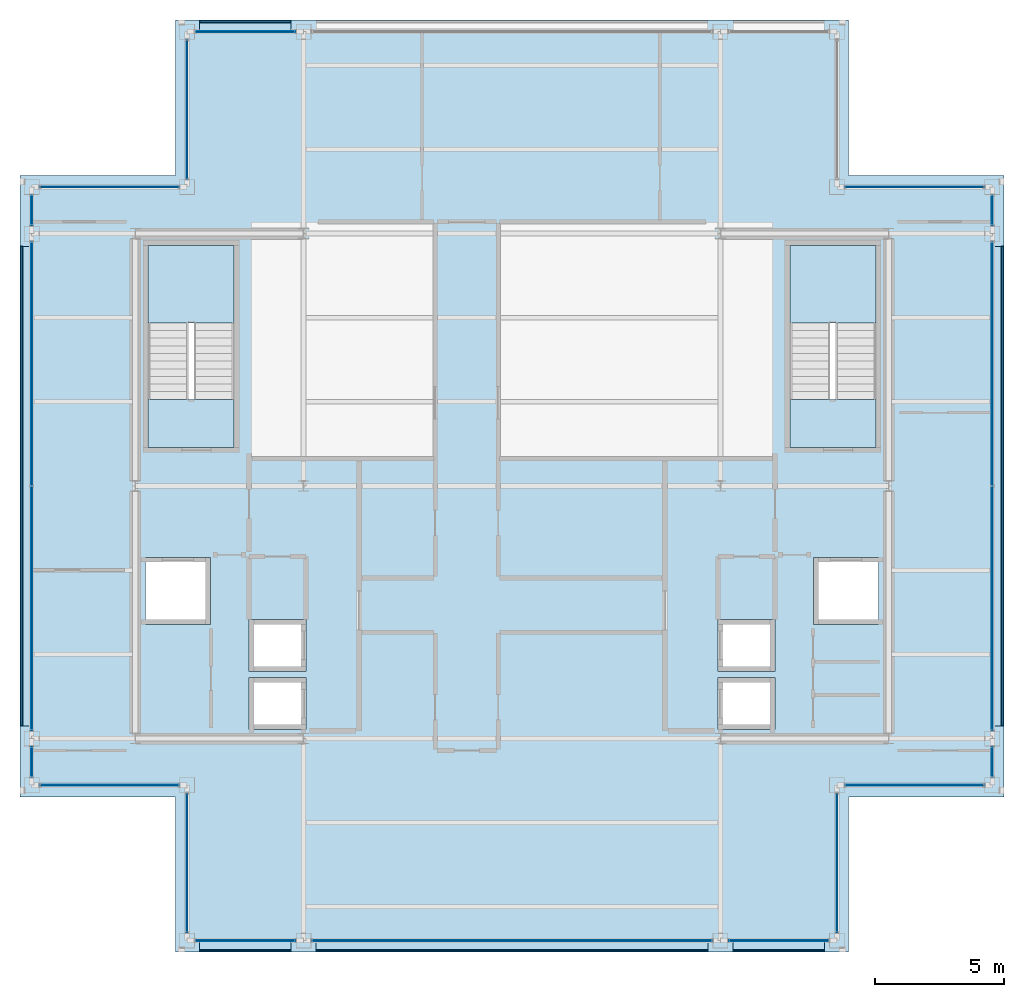
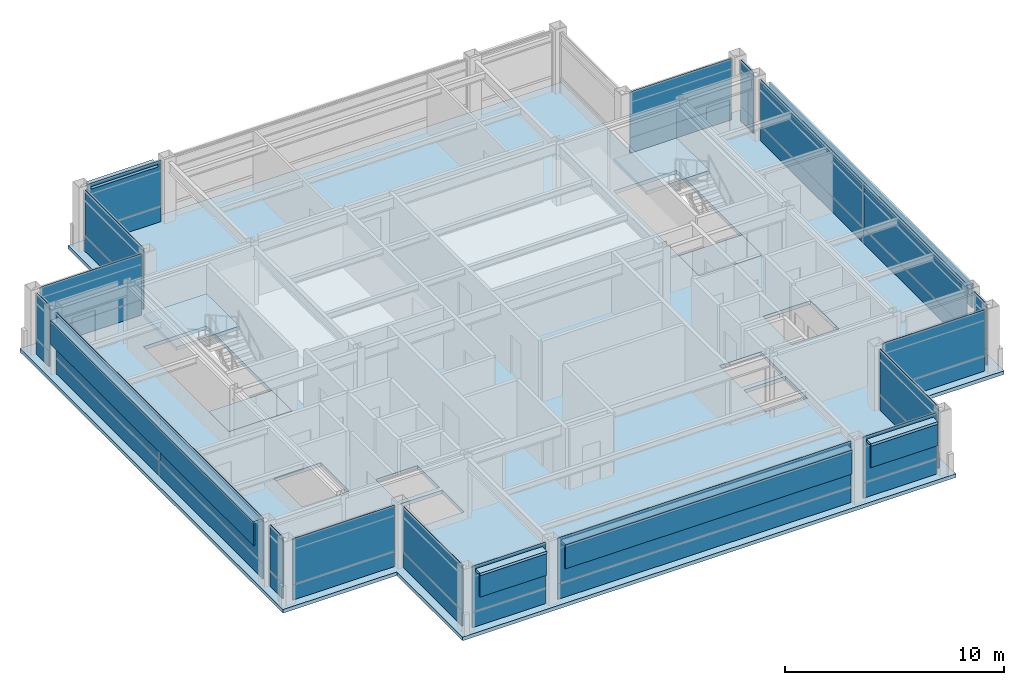
# One storey, part 17 of 22: 50 plates, 5 slabs, 19 elements without a shape of their own.
"""IFC4 building model written with IfcOpenShell, lengths in metres."""

from ifc_helpers import new_model, si_unit, direction, frame, origin, origin_2d, place, context, subcontext, project, spatial, polyline, rectangle, outline, extrude, material, layer, layer_set, type_object, element, aggregate, save


model = new_model("IFC4")

# Units and contexts
model_context = context("Model", 3, precision=1e-05, world=origin(), true_north=direction((0.0, 1.0)))
body_context = subcontext(model_context, "Body", "Model", "MODEL_VIEW")
ifc_project = project(units=[si_unit("LENGTHUNIT", "METRE"), si_unit("AREAUNIT", "SQUARE_METRE"), si_unit("VOLUMEUNIT", "CUBIC_METRE"), si_unit("PLANEANGLEUNIT", "RADIAN"), si_unit("MASSUNIT", "GRAM", prefix="KILO")], contexts=[model_context])

# Site, building, storey
site_placement = place(None, origin())
site = spatial("IfcSite", under=ifc_project, at=site_placement, CompositionType="ELEMENT")
building_placement = place(site_placement, origin())
building = spatial("IfcBuilding", under=site, at=building_placement, Name="Brelmoor Portico Tower", CompositionType="ELEMENT")
storey_placement = place(building_placement, frame((0.0, 0.0, 280.800048828125)))
storey = spatial("IfcBuildingStorey", under=building, at=storey_placement, Name="L74", CompositionType="ELEMENT", Elevation=280.800048828125)

# Curtain wall, plate
ifc_material_1 = material(Name="Anodised Aluminium Alloy 6063-T6", Category="aluminium")
ifc_layer_1 = layer(ifc_material_1, 0.179931640625)
ifc_layer_set_1 = layer_set([ifc_layer_1], Name="Anodised Aluminium Alloy 6063-T6")
curtain_wall_type_1 = type_object("IfcCurtainWallType", Name="CW-TOWER-Z4", PredefinedType="NOTDEFINED", material=ifc_layer_set_1)
curtain_wall_1_placement = place(storey_placement, origin())
curtain_wall_1 = element("IfcCurtainWall", 1, at=curtain_wall_1_placement, inside=storey, type_object=curtain_wall_type_1, Name="L74 Curtain Wall CW-L74-01-1", PredefinedType="NOTDEFINED")
ifc_material_2 = material(Name="Double-Silver Low-E Insulated Glazing", Category="glass")
ifc_layer_2 = layer(ifc_material_2, 0.035888671875)
ifc_layer_set_2 = layer_set([ifc_layer_2], Name="Double-Silver Low-E Insulated Glazing")
plate_type_1 = type_object("IfcPlateType", Name="PT-CW-GLASS", PredefinedType="CURTAIN_PANEL", material=ifc_layer_set_2)
plate_1_placement = place(storey_placement, frame((-10.300048828125, -17.550048828125, 0.85009765625), z_axis=(0.0, 0.0, 1.0), x_axis=(1.0, 0.0, 0.0)))
plate_1 = element("IfcPlate", 2, at=plate_1_placement, type_object=plate_type_1, Name="CW-L74-01-1 Vision Glass Panel 00", PredefinedType="CURTAIN_PANEL", context=body_context, shape_type="SweptSolid", body=[
    extrude(rectangle(XDim=3.85009765625, YDim=0.035888671875, at=origin_2d()), origin(), (0.0, 0.0, 1.0), 2.550048828125),
])

curtain_wall_2_placement = place(storey_placement, origin())
curtain_wall_2 = element("IfcCurtainWall", 3, at=curtain_wall_2_placement, inside=storey, type_object=curtain_wall_type_1, Name="L74 Curtain Wall CW-L74-01-2", PredefinedType="NOTDEFINED")
plate_2_placement = place(storey_placement, frame((0.0, -17.550048828125, 0.85009765625), z_axis=(0.0, 0.0, 1.0), x_axis=(1.0, 0.0, 0.0)))
plate_2 = element("IfcPlate", 4, at=plate_2_placement, type_object=plate_type_1, Name="CW-L74-01-2 Vision Glass Panel 00", PredefinedType="CURTAIN_PANEL", context=body_context, shape_type="SweptSolid", body=[
    extrude(rectangle(XDim=15.449951171875, YDim=0.035888671875, at=origin_2d()), origin(), (0.0, 0.0, 1.0), 2.550048828125),
])

curtain_wall_3_placement = place(storey_placement, origin())
curtain_wall_3 = element("IfcCurtainWall", 5, at=curtain_wall_3_placement, inside=storey, type_object=curtain_wall_type_1, Name="L74 Curtain Wall CW-L74-01-3", PredefinedType="NOTDEFINED")
plate_3_placement = place(storey_placement, frame((10.300048828125, -17.550048828125, 0.85009765625), z_axis=(0.0, 0.0, 1.0), x_axis=(1.0, 0.0, 0.0)))
plate_3 = element("IfcPlate", 6, at=plate_3_placement, type_object=plate_type_1, Name="CW-L74-01-3 Vision Glass Panel 00", PredefinedType="CURTAIN_PANEL", context=body_context, shape_type="SweptSolid", body=[
    extrude(rectangle(XDim=3.85009765625, YDim=0.035888671875, at=origin_2d()), origin(), (0.0, 0.0, 1.0), 2.550048828125),
])

curtain_wall_4_placement = place(storey_placement, origin())
curtain_wall_4 = element("IfcCurtainWall", 7, at=curtain_wall_4_placement, inside=storey, type_object=curtain_wall_type_1, Name="L74 Curtain Wall CW-L74-02-1", PredefinedType="NOTDEFINED")
plate_4_placement = place(storey_placement, frame((-10.300048828125, 17.550048828125, 0.85009765625), z_axis=(0.0, 0.0, 1.0), x_axis=(1.0, 0.0, 0.0)))
plate_4 = element("IfcPlate", 8, at=plate_4_placement, type_object=plate_type_1, Name="CW-L74-02-1 Vision Glass Panel 00", PredefinedType="CURTAIN_PANEL", context=body_context, shape_type="SweptSolid", body=[
    extrude(rectangle(XDim=3.85009765625, YDim=0.035888671875, at=origin_2d()), origin(), (0.0, 0.0, 1.0), 2.550048828125),
])

curtain_wall_5_placement = place(storey_placement, origin())
curtain_wall_5 = element("IfcCurtainWall", 9, at=curtain_wall_5_placement, inside=storey, type_object=curtain_wall_type_1, Name="L74 Curtain Wall CW-L74-03-1", PredefinedType="NOTDEFINED")
plate_5_placement = place(storey_placement, frame((-18.550048828125, -10.64990234375, 0.85009765625), z_axis=(0.0, 0.0, 1.0), x_axis=(0.0, 1.0, 0.0)))
plate_5 = element("IfcPlate", 10, at=plate_5_placement, type_object=plate_type_1, Name="CW-L74-03-1 Vision Glass Panel 00", PredefinedType="CURTAIN_PANEL", context=body_context, shape_type="SweptSolid", body=[
    extrude(rectangle(XDim=1.14990234375, YDim=0.035888671875, at=origin_2d()), origin(), (0.0, 0.0, 1.0), 2.550048828125),
])

# Curtain wall, plates
curtain_wall_6_placement = place(storey_placement, origin())
curtain_wall_6 = element("IfcCurtainWall", 11, at=curtain_wall_6_placement, inside=storey, type_object=curtain_wall_type_1, Name="L74 Curtain Wall CW-L74-03-2", PredefinedType="NOTDEFINED")
plate_6_placement = place(storey_placement, frame((-18.550048828125, -4.719970703125, 0.85009765625), z_axis=(0.0, 0.0, 1.0), x_axis=(0.0, 1.0, 0.0)))
plate_6 = element("IfcPlate", 12, at=plate_6_placement, type_object=plate_type_1, Name="CW-L74-03-2 Vision Glass Panel 00", PredefinedType="CURTAIN_PANEL", context=body_context, shape_type="SweptSolid", body=[
    extrude(rectangle(XDim=9.409912109375, YDim=0.035888671875, at=origin_2d()), origin(), (0.0, 0.0, 1.0), 2.550048828125),
])
plate_7_placement = place(storey_placement, frame((-18.550048828125, 4.719970703125, 0.85009765625), z_axis=(0.0, 0.0, 1.0), x_axis=(0.0, 1.0, 0.0)))
plate_7 = element("IfcPlate", 13, at=plate_7_placement, type_object=plate_type_1, Name="CW-L74-03-2 Vision Glass Panel 01", PredefinedType="CURTAIN_PANEL", context=body_context, shape_type="SweptSolid", body=[
    extrude(rectangle(XDim=9.409912109375, YDim=0.035888671875, at=origin_2d()), origin(), (0.0, 0.0, 1.0), 2.550048828125),
])

# Curtain wall, plate
curtain_wall_7_placement = place(storey_placement, origin())
curtain_wall_7 = element("IfcCurtainWall", 14, at=curtain_wall_7_placement, inside=storey, type_object=curtain_wall_type_1, Name="L74 Curtain Wall CW-L74-03-3", PredefinedType="NOTDEFINED")
plate_8_placement = place(storey_placement, frame((-18.550048828125, 10.64990234375, 0.85009765625), z_axis=(0.0, 0.0, 1.0), x_axis=(0.0, 1.0, 0.0)))
plate_8 = element("IfcPlate", 15, at=plate_8_placement, type_object=plate_type_1, Name="CW-L74-03-3 Vision Glass Panel 00", PredefinedType="CURTAIN_PANEL", context=body_context, shape_type="SweptSolid", body=[
    extrude(rectangle(XDim=1.14990234375, YDim=0.035888671875, at=origin_2d()), origin(), (0.0, 0.0, 1.0), 2.550048828125),
])

curtain_wall_8_placement = place(storey_placement, origin())
curtain_wall_8 = element("IfcCurtainWall", 16, at=curtain_wall_8_placement, inside=storey, type_object=curtain_wall_type_1, Name="L74 Curtain Wall CW-L74-04-1", PredefinedType="NOTDEFINED")
plate_9_placement = place(storey_placement, frame((18.550048828125, -10.64990234375, 0.85009765625), z_axis=(0.0, 0.0, 1.0), x_axis=(0.0, 1.0, 0.0)))
plate_9 = element("IfcPlate", 17, at=plate_9_placement, type_object=plate_type_1, Name="CW-L74-04-1 Vision Glass Panel 00", PredefinedType="CURTAIN_PANEL", context=body_context, shape_type="SweptSolid", body=[
    extrude(rectangle(XDim=1.14990234375, YDim=0.035888671875, at=origin_2d()), origin(), (0.0, 0.0, 1.0), 2.550048828125),
])

# Curtain wall, plates
curtain_wall_9_placement = place(storey_placement, origin())
curtain_wall_9 = element("IfcCurtainWall", 18, at=curtain_wall_9_placement, inside=storey, type_object=curtain_wall_type_1, Name="L74 Curtain Wall CW-L74-04-2", PredefinedType="NOTDEFINED")
plate_10_placement = place(storey_placement, frame((18.550048828125, -4.719970703125, 0.85009765625), z_axis=(0.0, 0.0, 1.0), x_axis=(0.0, 1.0, 0.0)))
plate_10 = element("IfcPlate", 19, at=plate_10_placement, type_object=plate_type_1, Name="CW-L74-04-2 Vision Glass Panel 00", PredefinedType="CURTAIN_PANEL", context=body_context, shape_type="SweptSolid", body=[
    extrude(rectangle(XDim=9.409912109375, YDim=0.035888671875, at=origin_2d()), origin(), (0.0, 0.0, 1.0), 2.550048828125),
])
plate_11_placement = place(storey_placement, frame((18.550048828125, 4.719970703125, 0.85009765625), z_axis=(0.0, 0.0, 1.0), x_axis=(0.0, 1.0, 0.0)))
plate_11 = element("IfcPlate", 20, at=plate_11_placement, type_object=plate_type_1, Name="CW-L74-04-2 Vision Glass Panel 01", PredefinedType="CURTAIN_PANEL", context=body_context, shape_type="SweptSolid", body=[
    extrude(rectangle(XDim=9.409912109375, YDim=0.035888671875, at=origin_2d()), origin(), (0.0, 0.0, 1.0), 2.550048828125),
])

# Curtain wall, plate
curtain_wall_10_placement = place(storey_placement, origin())
curtain_wall_10 = element("IfcCurtainWall", 21, at=curtain_wall_10_placement, inside=storey, type_object=curtain_wall_type_1, Name="L74 Curtain Wall CW-L74-04-3", PredefinedType="NOTDEFINED")
plate_12_placement = place(storey_placement, frame((18.550048828125, 10.64990234375, 0.85009765625), z_axis=(0.0, 0.0, 1.0), x_axis=(0.0, 1.0, 0.0)))
plate_12 = element("IfcPlate", 22, at=plate_12_placement, type_object=plate_type_1, Name="CW-L74-04-3 Vision Glass Panel 00", PredefinedType="CURTAIN_PANEL", context=body_context, shape_type="SweptSolid", body=[
    extrude(rectangle(XDim=1.14990234375, YDim=0.035888671875, at=origin_2d()), origin(), (0.0, 0.0, 1.0), 2.550048828125),
])

ifc_layer_3 = layer(ifc_material_1, 0.179931640625)
ifc_layer_set_3 = layer_set([ifc_layer_3], Name="Anodised Aluminium Alloy 6063-T6")
curtain_wall_type_2 = type_object("IfcCurtainWallType", Name="CW-NOTCH-CHAMFER", PredefinedType="NOTDEFINED", material=ifc_layer_set_3)
curtain_wall_11_placement = place(storey_placement, origin())
curtain_wall_11 = element("IfcCurtainWall", 23, at=curtain_wall_11_placement, inside=storey, type_object=curtain_wall_type_2, Name="L74 Curtain Wall CWN-L74-SWH", PredefinedType="NOTDEFINED")
plate_13_placement = place(storey_placement, frame((-15.550048828125, -11.550048828125, 0.85009765625), z_axis=(0.0, 0.0, 1.0), x_axis=(1.0, 0.0, 0.0)))
plate_13 = element("IfcPlate", 24, at=plate_13_placement, type_object=plate_type_1, Name="CWN-L74-SWH Vision Glass Panel 00", PredefinedType="CURTAIN_PANEL", context=body_context, shape_type="SweptSolid", body=[
    extrude(rectangle(XDim=5.35009765625, YDim=0.035888671875, at=origin_2d()), origin(), (0.0, 0.0, 1.0), 2.550048828125),
])

curtain_wall_12_placement = place(storey_placement, origin())
curtain_wall_12 = element("IfcCurtainWall", 25, at=curtain_wall_12_placement, inside=storey, type_object=curtain_wall_type_2, Name="L74 Curtain Wall CWN-L74-SWV", PredefinedType="NOTDEFINED")
plate_14_placement = place(storey_placement, frame((-12.550048828125, -14.550048828125, 0.85009765625), z_axis=(0.0, 0.0, 1.0), x_axis=(0.0, 1.0, 0.0)))
plate_14 = element("IfcPlate", 26, at=plate_14_placement, type_object=plate_type_1, Name="CWN-L74-SWV Vision Glass Panel 00", PredefinedType="CURTAIN_PANEL", context=body_context, shape_type="SweptSolid", body=[
    extrude(rectangle(XDim=5.35009765625, YDim=0.035888671875, at=origin_2d()), origin(), (0.0, 0.0, 1.0), 2.550048828125),
])

curtain_wall_13_placement = place(storey_placement, origin())
curtain_wall_13 = element("IfcCurtainWall", 27, at=curtain_wall_13_placement, inside=storey, type_object=curtain_wall_type_2, Name="L74 Curtain Wall CWN-L74-SEH", PredefinedType="NOTDEFINED")
plate_15_placement = place(storey_placement, frame((15.550048828125, -11.550048828125, 0.85009765625), z_axis=(0.0, 0.0, 1.0), x_axis=(1.0, 0.0, 0.0)))
plate_15 = element("IfcPlate", 28, at=plate_15_placement, type_object=plate_type_1, Name="CWN-L74-SEH Vision Glass Panel 00", PredefinedType="CURTAIN_PANEL", context=body_context, shape_type="SweptSolid", body=[
    extrude(rectangle(XDim=5.35009765625, YDim=0.035888671875, at=origin_2d()), origin(), (0.0, 0.0, 1.0), 2.550048828125),
])

curtain_wall_14_placement = place(storey_placement, origin())
curtain_wall_14 = element("IfcCurtainWall", 29, at=curtain_wall_14_placement, inside=storey, type_object=curtain_wall_type_2, Name="L74 Curtain Wall CWN-L74-SEV", PredefinedType="NOTDEFINED")
plate_16_placement = place(storey_placement, frame((12.550048828125, -14.550048828125, 0.85009765625), z_axis=(0.0, 0.0, 1.0), x_axis=(0.0, 1.0, 0.0)))
plate_16 = element("IfcPlate", 30, at=plate_16_placement, type_object=plate_type_1, Name="CWN-L74-SEV Vision Glass Panel 00", PredefinedType="CURTAIN_PANEL", context=body_context, shape_type="SweptSolid", body=[
    extrude(rectangle(XDim=5.35009765625, YDim=0.035888671875, at=origin_2d()), origin(), (0.0, 0.0, 1.0), 2.550048828125),
])

curtain_wall_15_placement = place(storey_placement, origin())
curtain_wall_15 = element("IfcCurtainWall", 31, at=curtain_wall_15_placement, inside=storey, type_object=curtain_wall_type_2, Name="L74 Curtain Wall CWN-L74-NWH", PredefinedType="NOTDEFINED")
plate_17_placement = place(storey_placement, frame((-15.550048828125, 11.550048828125, 0.85009765625), z_axis=(0.0, 0.0, 1.0), x_axis=(1.0, 0.0, 0.0)))
plate_17 = element("IfcPlate", 32, at=plate_17_placement, type_object=plate_type_1, Name="CWN-L74-NWH Vision Glass Panel 00", PredefinedType="CURTAIN_PANEL", context=body_context, shape_type="SweptSolid", body=[
    extrude(rectangle(XDim=5.35009765625, YDim=0.035888671875, at=origin_2d()), origin(), (0.0, 0.0, 1.0), 2.550048828125),
])

curtain_wall_16_placement = place(storey_placement, origin())
curtain_wall_16 = element("IfcCurtainWall", 33, at=curtain_wall_16_placement, inside=storey, type_object=curtain_wall_type_2, Name="L74 Curtain Wall CWN-L74-NWV", PredefinedType="NOTDEFINED")
plate_18_placement = place(storey_placement, frame((-12.550048828125, 14.550048828125, 0.85009765625), z_axis=(0.0, 0.0, 1.0), x_axis=(0.0, 1.0, 0.0)))
plate_18 = element("IfcPlate", 34, at=plate_18_placement, type_object=plate_type_1, Name="CWN-L74-NWV Vision Glass Panel 00", PredefinedType="CURTAIN_PANEL", context=body_context, shape_type="SweptSolid", body=[
    extrude(rectangle(XDim=5.35009765625, YDim=0.035888671875, at=origin_2d()), origin(), (0.0, 0.0, 1.0), 2.550048828125),
])

curtain_wall_17_placement = place(storey_placement, origin())
curtain_wall_17 = element("IfcCurtainWall", 35, at=curtain_wall_17_placement, inside=storey, type_object=curtain_wall_type_2, Name="L74 Curtain Wall CWN-L74-NEH", PredefinedType="NOTDEFINED")
plate_19_placement = place(storey_placement, frame((15.550048828125, 11.550048828125, 0.85009765625), z_axis=(0.0, 0.0, 1.0), x_axis=(1.0, 0.0, 0.0)))
plate_19 = element("IfcPlate", 36, at=plate_19_placement, type_object=plate_type_1, Name="CWN-L74-NEH Vision Glass Panel 00", PredefinedType="CURTAIN_PANEL", context=body_context, shape_type="SweptSolid", body=[
    extrude(rectangle(XDim=5.35009765625, YDim=0.035888671875, at=origin_2d()), origin(), (0.0, 0.0, 1.0), 2.550048828125),
])

# Plate
ifc_material_3 = material(Name="Pale Champagne Anodised Aluminium Panel", Category="aluminium")
ifc_layer_4 = layer(ifc_material_3, 0.050048828125)
ifc_layer_set_4 = layer_set([ifc_layer_4], Name="Pale Champagne Anodised Aluminium Panel")
plate_type_2 = type_object("IfcPlateType", Name="PT-CW-SPANDREL", PredefinedType="SHEET", material=ifc_layer_set_4)
plate_20_placement = place(storey_placement, frame((-10.300048828125, -17.550048828125, 0.0), z_axis=(0.0, 0.0, 1.0), x_axis=(1.0, 0.0, 0.0)))
plate_20 = element("IfcPlate", 37, at=plate_20_placement, type_object=plate_type_2, Name="CW-L74-01-1 Spandrel Panel 00", PredefinedType="SHEET", context=body_context, shape_type="SweptSolid", body=[
    extrude(rectangle(XDim=3.85009765625, YDim=0.050048828125, at=origin_2d()), origin(), (0.0, 0.0, 1.0), 0.85009765625),
])

aggregate(curtain_wall_1, [plate_20, plate_1])

plate_21_placement = place(storey_placement, frame((0.0, -17.550048828125, 0.0), z_axis=(0.0, 0.0, 1.0), x_axis=(1.0, 0.0, 0.0)))
plate_21 = element("IfcPlate", 38, at=plate_21_placement, type_object=plate_type_2, Name="CW-L74-01-2 Spandrel Panel 00", PredefinedType="SHEET", context=body_context, shape_type="SweptSolid", body=[
    extrude(rectangle(XDim=15.449951171875, YDim=0.050048828125, at=origin_2d()), origin(), (0.0, 0.0, 1.0), 0.85009765625),
])

aggregate(curtain_wall_2, [plate_21, plate_2])

plate_22_placement = place(storey_placement, frame((10.300048828125, -17.550048828125, 0.0), z_axis=(0.0, 0.0, 1.0), x_axis=(1.0, 0.0, 0.0)))
plate_22 = element("IfcPlate", 39, at=plate_22_placement, type_object=plate_type_2, Name="CW-L74-01-3 Spandrel Panel 00", PredefinedType="SHEET", context=body_context, shape_type="SweptSolid", body=[
    extrude(rectangle(XDim=3.85009765625, YDim=0.050048828125, at=origin_2d()), origin(), (0.0, 0.0, 1.0), 0.85009765625),
])

aggregate(curtain_wall_3, [plate_22, plate_3])

plate_23_placement = place(storey_placement, frame((-10.300048828125, 17.550048828125, 0.0), z_axis=(0.0, 0.0, 1.0), x_axis=(1.0, 0.0, 0.0)))
plate_23 = element("IfcPlate", 40, at=plate_23_placement, type_object=plate_type_2, Name="CW-L74-02-1 Spandrel Panel 00", PredefinedType="SHEET", context=body_context, shape_type="SweptSolid", body=[
    extrude(rectangle(XDim=3.85009765625, YDim=0.050048828125, at=origin_2d()), origin(), (0.0, 0.0, 1.0), 0.85009765625),
])

aggregate(curtain_wall_4, [plate_23, plate_4])

plate_24_placement = place(storey_placement, frame((-18.550048828125, -10.64990234375, 0.0), z_axis=(0.0, 0.0, 1.0), x_axis=(0.0, 1.0, 0.0)))
plate_24 = element("IfcPlate", 41, at=plate_24_placement, type_object=plate_type_2, Name="CW-L74-03-1 Spandrel Panel 00", PredefinedType="SHEET", context=body_context, shape_type="SweptSolid", body=[
    extrude(rectangle(XDim=1.14990234375, YDim=0.050048828125, at=origin_2d()), origin(), (0.0, 0.0, 1.0), 0.85009765625),
])

aggregate(curtain_wall_5, [plate_24, plate_5])

plate_25_placement = place(storey_placement, frame((-18.550048828125, -4.719970703125, 0.0), z_axis=(0.0, 0.0, 1.0), x_axis=(0.0, 1.0, 0.0)))
plate_25 = element("IfcPlate", 42, at=plate_25_placement, type_object=plate_type_2, Name="CW-L74-03-2 Spandrel Panel 00", PredefinedType="SHEET", context=body_context, shape_type="SweptSolid", body=[
    extrude(rectangle(XDim=9.409912109375, YDim=0.050048828125, at=origin_2d()), origin(), (0.0, 0.0, 1.0), 0.85009765625),
])

plate_26_placement = place(storey_placement, frame((-18.550048828125, 4.719970703125, 0.0), z_axis=(0.0, 0.0, 1.0), x_axis=(0.0, 1.0, 0.0)))
plate_26 = element("IfcPlate", 43, at=plate_26_placement, type_object=plate_type_2, Name="CW-L74-03-2 Spandrel Panel 01", PredefinedType="SHEET", context=body_context, shape_type="SweptSolid", body=[
    extrude(rectangle(XDim=9.409912109375, YDim=0.050048828125, at=origin_2d()), origin(), (0.0, 0.0, 1.0), 0.85009765625),
])

aggregate(curtain_wall_6, [plate_25, plate_6, plate_26, plate_7])

plate_27_placement = place(storey_placement, frame((-18.550048828125, 10.64990234375, 0.0), z_axis=(0.0, 0.0, 1.0), x_axis=(0.0, 1.0, 0.0)))
plate_27 = element("IfcPlate", 44, at=plate_27_placement, type_object=plate_type_2, Name="CW-L74-03-3 Spandrel Panel 00", PredefinedType="SHEET", context=body_context, shape_type="SweptSolid", body=[
    extrude(rectangle(XDim=1.14990234375, YDim=0.050048828125, at=origin_2d()), origin(), (0.0, 0.0, 1.0), 0.85009765625),
])

aggregate(curtain_wall_7, [plate_27, plate_8])

plate_28_placement = place(storey_placement, frame((18.550048828125, -10.64990234375, 0.0), z_axis=(0.0, 0.0, 1.0), x_axis=(0.0, 1.0, 0.0)))
plate_28 = element("IfcPlate", 45, at=plate_28_placement, type_object=plate_type_2, Name="CW-L74-04-1 Spandrel Panel 00", PredefinedType="SHEET", context=body_context, shape_type="SweptSolid", body=[
    extrude(rectangle(XDim=1.14990234375, YDim=0.050048828125, at=origin_2d()), origin(), (0.0, 0.0, 1.0), 0.85009765625),
])

aggregate(curtain_wall_8, [plate_28, plate_9])

plate_29_placement = place(storey_placement, frame((18.550048828125, -4.719970703125, 0.0), z_axis=(0.0, 0.0, 1.0), x_axis=(0.0, 1.0, 0.0)))
plate_29 = element("IfcPlate", 46, at=plate_29_placement, type_object=plate_type_2, Name="CW-L74-04-2 Spandrel Panel 00", PredefinedType="SHEET", context=body_context, shape_type="SweptSolid", body=[
    extrude(rectangle(XDim=9.409912109375, YDim=0.050048828125, at=origin_2d()), origin(), (0.0, 0.0, 1.0), 0.85009765625),
])

plate_30_placement = place(storey_placement, frame((18.550048828125, 4.719970703125, 0.0), z_axis=(0.0, 0.0, 1.0), x_axis=(0.0, 1.0, 0.0)))
plate_30 = element("IfcPlate", 47, at=plate_30_placement, type_object=plate_type_2, Name="CW-L74-04-2 Spandrel Panel 01", PredefinedType="SHEET", context=body_context, shape_type="SweptSolid", body=[
    extrude(rectangle(XDim=9.409912109375, YDim=0.050048828125, at=origin_2d()), origin(), (0.0, 0.0, 1.0), 0.85009765625),
])

aggregate(curtain_wall_9, [plate_29, plate_10, plate_30, plate_11])

plate_31_placement = place(storey_placement, frame((18.550048828125, 10.64990234375, 0.0), z_axis=(0.0, 0.0, 1.0), x_axis=(0.0, 1.0, 0.0)))
plate_31 = element("IfcPlate", 48, at=plate_31_placement, type_object=plate_type_2, Name="CW-L74-04-3 Spandrel Panel 00", PredefinedType="SHEET", context=body_context, shape_type="SweptSolid", body=[
    extrude(rectangle(XDim=1.14990234375, YDim=0.050048828125, at=origin_2d()), origin(), (0.0, 0.0, 1.0), 0.85009765625),
])

aggregate(curtain_wall_10, [plate_31, plate_12])

plate_32_placement = place(storey_placement, frame((-15.550048828125, -11.550048828125, 0.0), z_axis=(0.0, 0.0, 1.0), x_axis=(1.0, 0.0, 0.0)))
plate_32 = element("IfcPlate", 49, at=plate_32_placement, type_object=plate_type_2, Name="CWN-L74-SWH Spandrel Panel 00", PredefinedType="SHEET", context=body_context, shape_type="SweptSolid", body=[
    extrude(rectangle(XDim=5.35009765625, YDim=0.050048828125, at=origin_2d()), origin(), (0.0, 0.0, 1.0), 0.85009765625),
])

aggregate(curtain_wall_11, [plate_32, plate_13])

plate_33_placement = place(storey_placement, frame((-12.550048828125, -14.550048828125, 0.0), z_axis=(0.0, 0.0, 1.0), x_axis=(0.0, 1.0, 0.0)))
plate_33 = element("IfcPlate", 50, at=plate_33_placement, type_object=plate_type_2, Name="CWN-L74-SWV Spandrel Panel 00", PredefinedType="SHEET", context=body_context, shape_type="SweptSolid", body=[
    extrude(rectangle(XDim=5.35009765625, YDim=0.050048828125, at=origin_2d()), origin(), (0.0, 0.0, 1.0), 0.85009765625),
])

aggregate(curtain_wall_12, [plate_33, plate_14])

plate_34_placement = place(storey_placement, frame((15.550048828125, -11.550048828125, 0.0), z_axis=(0.0, 0.0, 1.0), x_axis=(1.0, 0.0, 0.0)))
plate_34 = element("IfcPlate", 51, at=plate_34_placement, type_object=plate_type_2, Name="CWN-L74-SEH Spandrel Panel 00", PredefinedType="SHEET", context=body_context, shape_type="SweptSolid", body=[
    extrude(rectangle(XDim=5.35009765625, YDim=0.050048828125, at=origin_2d()), origin(), (0.0, 0.0, 1.0), 0.85009765625),
])

aggregate(curtain_wall_13, [plate_34, plate_15])

plate_35_placement = place(storey_placement, frame((12.550048828125, -14.550048828125, 0.0), z_axis=(0.0, 0.0, 1.0), x_axis=(0.0, 1.0, 0.0)))
plate_35 = element("IfcPlate", 52, at=plate_35_placement, type_object=plate_type_2, Name="CWN-L74-SEV Spandrel Panel 00", PredefinedType="SHEET", context=body_context, shape_type="SweptSolid", body=[
    extrude(rectangle(XDim=5.35009765625, YDim=0.050048828125, at=origin_2d()), origin(), (0.0, 0.0, 1.0), 0.85009765625),
])

aggregate(curtain_wall_14, [plate_35, plate_16])

plate_36_placement = place(storey_placement, frame((-15.550048828125, 11.550048828125, 0.0), z_axis=(0.0, 0.0, 1.0), x_axis=(1.0, 0.0, 0.0)))
plate_36 = element("IfcPlate", 53, at=plate_36_placement, type_object=plate_type_2, Name="CWN-L74-NWH Spandrel Panel 00", PredefinedType="SHEET", context=body_context, shape_type="SweptSolid", body=[
    extrude(rectangle(XDim=5.35009765625, YDim=0.050048828125, at=origin_2d()), origin(), (0.0, 0.0, 1.0), 0.85009765625),
])

aggregate(curtain_wall_15, [plate_36, plate_17])

plate_37_placement = place(storey_placement, frame((-12.550048828125, 14.550048828125, 0.0), z_axis=(0.0, 0.0, 1.0), x_axis=(0.0, 1.0, 0.0)))
plate_37 = element("IfcPlate", 54, at=plate_37_placement, type_object=plate_type_2, Name="CWN-L74-NWV Spandrel Panel 00", PredefinedType="SHEET", context=body_context, shape_type="SweptSolid", body=[
    extrude(rectangle(XDim=5.35009765625, YDim=0.050048828125, at=origin_2d()), origin(), (0.0, 0.0, 1.0), 0.85009765625),
])

aggregate(curtain_wall_16, [plate_37, plate_18])

plate_38_placement = place(storey_placement, frame((15.550048828125, 11.550048828125, 0.0), z_axis=(0.0, 0.0, 1.0), x_axis=(1.0, 0.0, 0.0)))
plate_38 = element("IfcPlate", 55, at=plate_38_placement, type_object=plate_type_2, Name="CWN-L74-NEH Spandrel Panel 00", PredefinedType="SHEET", context=body_context, shape_type="SweptSolid", body=[
    extrude(rectangle(XDim=5.35009765625, YDim=0.050048828125, at=origin_2d()), origin(), (0.0, 0.0, 1.0), 0.85009765625),
])

aggregate(curtain_wall_17, [plate_38, plate_19])

# Plates
ifc_material_4 = material(Name="Powder-Coated Aluminium Shuttered Jalousie Louvre", Category="aluminium")
ifc_layer_5 = layer(ifc_material_4, 0.06005859375)
ifc_layer_set_5 = layer_set([ifc_layer_5], Name="Powder-Coated Aluminium Shuttered Jalousie Louvre")
plate_type_3 = type_object("IfcPlateType", Name="PT-JALOUSIE-SHUTTER", PredefinedType="SHEET", material=ifc_layer_set_5)
plate_39_placement = place(storey_placement, frame((-10.300048828125, -17.929931640625, 1.8740234375), z_axis=(0.0, 0.0, 1.0), x_axis=(1.0, 0.0, 0.0)))
element("IfcPlate", 56, at=plate_39_placement, inside=storey, type_object=plate_type_3, Name="CW-L74-01-1 Perforated Jalousie Solar Screen", PredefinedType="SHEET", context=body_context, shape_type="SweptSolid", body=[
    extrude(rectangle(XDim=3.52001953125, YDim=0.06494140625, at=origin_2d()), origin(), (0.0, 0.0, 1.0), 1.325927734375),
])
plate_40_placement = place(storey_placement, frame((0.0, -17.929931640625, 1.8740234375), z_axis=(0.0, 0.0, 1.0), x_axis=(1.0, 0.0, 0.0)))
element("IfcPlate", 57, at=plate_40_placement, inside=storey, type_object=plate_type_3, Name="CW-L74-01-2 Perforated Jalousie Solar Screen", PredefinedType="SHEET", context=body_context, shape_type="SweptSolid", body=[
    extrude(rectangle(XDim=15.1201171875, YDim=0.06494140625, at=origin_2d()), origin(), (0.0, 0.0, 1.0), 1.325927734375),
])
for number, where, z_axis, x_axis, name in (
    (58, (10.300048828125, -17.929931640625, 1.8740234375), (0.0, 0.0, 1.0), (1.0, 0.0, 0.0), "CW-L74-01-3 Perforated Jalousie Solar Screen"),
    (59, (-10.300048828125, 17.929931640625, 1.8740234375), (0.0, 0.0, 1.0), (1.0, 0.0, 0.0), "CW-L74-02-1 Perforated Jalousie Solar Screen"),
):
    element("IfcPlate", number, at=place(storey_placement, frame(where, z_axis=z_axis, x_axis=x_axis)), inside=storey, type_object=plate_type_3, Name=name, PredefinedType="SHEET", context=body_context, shape_type="SweptSolid", body=[
        extrude(rectangle(XDim=3.52001953125, YDim=0.06494140625, at=origin_2d()), origin(), (0.0, 0.0, 1.0), 1.325927734375),
    ])
for number, where, z_axis, x_axis, name in (
    (60, (-18.929931640625, 0.0, 1.8740234375), (0.0, 0.0, 1.0), (0.0, 1.0, 0.0), "CW-L74-03-2 Perforated Jalousie Solar Screen"),
    (61, (18.929931640625, 0.0, 1.8740234375), (0.0, 0.0, 1.0), (0.0, 1.0, 0.0), "CW-L74-04-2 Perforated Jalousie Solar Screen"),
):
    element("IfcPlate", number, at=place(storey_placement, frame(where, z_axis=z_axis, x_axis=x_axis)), inside=storey, type_object=plate_type_3, Name=name, PredefinedType="SHEET", context=body_context, shape_type="SweptSolid", body=[
        extrude(rectangle(XDim=18.52001953125, YDim=0.06494140625, at=origin_2d()), origin(), (0.0, 0.0, 1.0), 1.325927734375),
    ])
ifc_material_5 = material(Name="Pale Champagne Perforated Aluminium Solar Screen", Category="aluminium")
ifc_layer_6 = layer(ifc_material_5, 0.054931640625)
ifc_layer_set_6 = layer_set([ifc_layer_6], Name="Pale Champagne Perforated Aluminium Solar Screen")
plate_type_4 = type_object("IfcPlateType", Name="PT-SOLAR-LOUVRE", PredefinedType="SHEET", material=ifc_layer_set_6)
plate_41_placement = place(storey_placement, frame((-10.300048828125, -17.760009765625, 3.08984375), z_axis=(0.0, 0.0, 1.0), x_axis=(1.0, 0.0, 0.0)))
element("IfcPlate", 62, at=plate_41_placement, inside=storey, type_object=plate_type_4, Name="CW-L74-01-1 Caribbean Brise-Soleil Solar Screen", PredefinedType="SHEET", context=body_context, shape_type="SweptSolid", body=[
    extrude(rectangle(XDim=3.52001953125, YDim=0.4599609375, at=origin_2d()), origin(), (0.0, 0.0, 1.0), 0.139892578125),
])
plate_42_placement = place(storey_placement, frame((0.0, -17.760009765625, 3.08984375), z_axis=(0.0, 0.0, 1.0), x_axis=(1.0, 0.0, 0.0)))
element("IfcPlate", 63, at=plate_42_placement, inside=storey, type_object=plate_type_4, Name="CW-L74-01-2 Caribbean Brise-Soleil Solar Screen", PredefinedType="SHEET", context=body_context, shape_type="SweptSolid", body=[
    extrude(rectangle(XDim=15.1201171875, YDim=0.4599609375, at=origin_2d()), origin(), (0.0, 0.0, 1.0), 0.139892578125),
])
for number, where, z_axis, x_axis, name in (
    (64, (10.300048828125, -17.760009765625, 3.08984375), (0.0, 0.0, 1.0), (1.0, 0.0, 0.0), "CW-L74-01-3 Caribbean Brise-Soleil Solar Screen"),
    (65, (-10.300048828125, 17.760009765625, 3.08984375), (0.0, 0.0, 1.0), (1.0, 0.0, 0.0), "CW-L74-02-1 Caribbean Brise-Soleil Solar Screen"),
):
    element("IfcPlate", number, at=place(storey_placement, frame(where, z_axis=z_axis, x_axis=x_axis)), inside=storey, type_object=plate_type_4, Name=name, PredefinedType="SHEET", context=body_context, shape_type="SweptSolid", body=[
        extrude(rectangle(XDim=3.52001953125, YDim=0.4599609375, at=origin_2d()), origin(), (0.0, 0.0, 1.0), 0.139892578125),
    ])
for number, where, z_axis, x_axis, name in (
    (66, (-18.760009765625, 0.0, 3.08984375), (0.0, 0.0, 1.0), (0.0, 1.0, 0.0), "CW-L74-03-2 Caribbean Brise-Soleil Solar Screen"),
    (67, (18.760009765625, 0.0, 3.08984375), (0.0, 0.0, 1.0), (0.0, 1.0, 0.0), "CW-L74-04-2 Caribbean Brise-Soleil Solar Screen"),
):
    element("IfcPlate", number, at=place(storey_placement, frame(where, z_axis=z_axis, x_axis=x_axis)), inside=storey, type_object=plate_type_4, Name=name, PredefinedType="SHEET", context=body_context, shape_type="SweptSolid", body=[
        extrude(rectangle(XDim=18.52001953125, YDim=0.4599609375, at=origin_2d()), origin(), (0.0, 0.0, 1.0), 0.139892578125),
    ])

# Slab
ifc_material_6 = material(Name="Concrete C40", Category="concrete")
ifc_layer_7 = layer(ifc_material_6, 0.199951171875)
ifc_layer_set_7 = layer_set([ifc_layer_7], Name="Concrete C40")
slab_type_1 = type_object("IfcSlabType", Name="SL-FLOOR-200", PredefinedType="FLOOR", material=ifc_layer_set_7)
slab_1_placement = place(storey_placement, frame((0.0, 0.0, -0.199951171875)))
element("IfcSlab", 68, at=slab_1_placement, inside=storey, type_object=slab_type_1, Name="L74 Main Structural Floor Slab", PredefinedType="FLOOR", context=body_context, shape_type="SweptSolid", body=[
    extrude(outline(polyline([(-13.0, -18.0), (13.0, -18.0), (13.0, -12.0), (19.0, -12.0), (19.0, 12.0), (13.0, 12.0), (13.0, 18.0), (-13.0, 18.0), (-13.0, 12.0), (-19.0, 12.0), (-19.0, -12.0), (-13.0, -12.0), (-13.0, -18.0)]), holes=[polyline([(-10.72998046875, 1.5), (-10.72998046875, 9.300048828125), (-14.050048828125, 9.300048828125), (-14.050048828125, 1.5), (-10.72998046875, 1.5)]), polyline([(14.050048828125, 1.5), (14.050048828125, 9.300048828125), (10.72998046875, 9.300048828125), (10.72998046875, 1.5), (14.050048828125, 1.5)]), polyline([(-10.14990234375, -9.39990234375), (-7.949951171875, -9.39990234375), (-7.949951171875, -7.39990234375), (-10.14990234375, -7.39990234375), (-10.14990234375, -9.39990234375)]), polyline([(-10.14990234375, -7.14990234375), (-7.949951171875, -7.14990234375), (-7.949951171875, -5.14990234375), (-10.14990234375, -5.14990234375), (-10.14990234375, -7.14990234375)]), polyline([(7.949951171875, -9.39990234375), (10.14990234375, -9.39990234375), (10.14990234375, -7.39990234375), (7.949951171875, -7.39990234375), (7.949951171875, -9.39990234375)]), polyline([(7.949951171875, -7.14990234375), (10.14990234375, -7.14990234375), (10.14990234375, -5.14990234375), (7.949951171875, -5.14990234375), (7.949951171875, -7.14990234375)]), polyline([(-14.14990234375, -5.35009765625), (-11.64990234375, -5.35009765625), (-11.64990234375, -2.75), (-14.14990234375, -2.75), (-14.14990234375, -5.35009765625)]), polyline([(11.64990234375, -5.35009765625), (14.14990234375, -5.35009765625), (14.14990234375, -2.75), (11.64990234375, -2.75), (11.64990234375, -5.35009765625)])]), origin(), (0.0, 0.0, 1.0), 0.199951171875),
])

# Stair, slab
stair_type_1 = type_object("IfcStairType", Name="ST-CORE-W", PredefinedType="HALF_TURN_STAIR", material=ifc_material_6)
stair_1_placement = place(storey_placement, origin())
stair_1 = element("IfcStair", 69, at=stair_1_placement, inside=storey, type_object=stair_type_1, Name="L74 Protected Core Exit Stair ST-W", PredefinedType="HALF_TURN_STAIR")
ifc_layer_8 = layer(ifc_material_6, 0.179931640625)
ifc_layer_set_8 = layer_set([ifc_layer_8], Name="Concrete C40")
slab_type_2 = type_object("IfcSlabType", Name="SL-LANDING-180", PredefinedType="LANDING", material=ifc_layer_set_8)
slab_2_placement = place(storey_placement, frame((0.0, 0.0, 1.599853515625)))
slab_2 = element("IfcSlab", 70, at=slab_2_placement, type_object=slab_type_2, Name="ST-W landing 1", PredefinedType="LANDING", context=body_context, shape_type="SweptSolid", body=[
    extrude(outline(polyline([(-10.72998046875, 6.300048828125), (-10.72998046875, 9.300048828125), (-14.050048828125, 9.300048828125), (-14.050048828125, 6.300048828125), (-10.72998046875, 6.300048828125)])), origin(), (0.0, 0.0, 1.0), 0.2001953125),
])
aggregate(stair_1, [slab_2])

stair_type_2 = type_object("IfcStairType", Name="ST-CORE-E", PredefinedType="HALF_TURN_STAIR", material=ifc_material_6)
stair_2_placement = place(storey_placement, origin())
stair_2 = element("IfcStair", 71, at=stair_2_placement, inside=storey, type_object=stair_type_2, Name="L74 Protected Core Exit Stair ST-E", PredefinedType="HALF_TURN_STAIR")
slab_3_placement = place(storey_placement, frame((0.0, 0.0, 1.599853515625)))
slab_3 = element("IfcSlab", 72, at=slab_3_placement, type_object=slab_type_2, Name="ST-E landing 1", PredefinedType="LANDING", context=body_context, shape_type="SweptSolid", body=[
    extrude(outline(polyline([(14.050048828125, 6.300048828125), (14.050048828125, 9.300048828125), (10.72998046875, 9.300048828125), (10.72998046875, 6.300048828125), (14.050048828125, 6.300048828125)])), origin(), (0.0, 0.0, 1.0), 0.2001953125),
])
aggregate(stair_2, [slab_3])

# Slabs
ifc_layer_9 = layer(ifc_material_6, 0.199951171875)
ifc_layer_set_9 = layer_set([ifc_layer_9], Name="Concrete C40")
slab_type_3 = type_object("IfcSlabType", Name="SL-STAIR-FL200", PredefinedType="LANDING", material=ifc_layer_set_9)
slab_4_placement = place(storey_placement, frame((0.0, 0.0, -0.199951171875)))
element("IfcSlab", 73, at=slab_4_placement, inside=storey, type_object=slab_type_3, Name="L74 ST-W Structural Floor Landing Slab", PredefinedType="LANDING", context=body_context, shape_type="SweptSolid", body=[
    extrude(outline(polyline([(-10.72998046875, 1.5), (-10.72998046875, 3.35009765625), (-14.050048828125, 3.35009765625), (-14.050048828125, 1.5), (-10.72998046875, 1.5)])), origin(), (0.0, 0.0, 1.0), 0.199951171875),
])
slab_5_placement = place(storey_placement, frame((0.0, 0.0, -0.199951171875)))
element("IfcSlab", 74, at=slab_5_placement, inside=storey, type_object=slab_type_3, Name="L74 ST-E Structural Floor Landing Slab", PredefinedType="LANDING", context=body_context, shape_type="SweptSolid", body=[
    extrude(outline(polyline([(14.050048828125, 1.5), (14.050048828125, 3.35009765625), (10.72998046875, 3.35009765625), (10.72998046875, 1.5), (14.050048828125, 1.5)])), origin(), (0.0, 0.0, 1.0), 0.199951171875),
])

save(model, "model.ifc")
